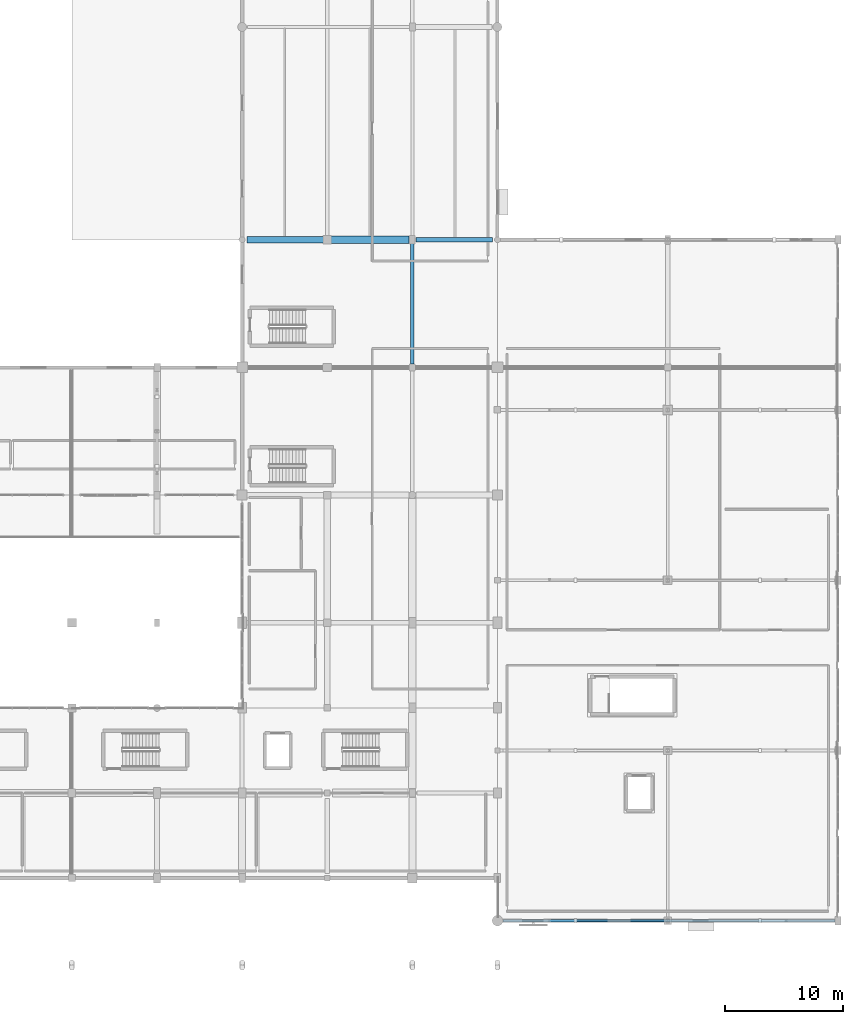
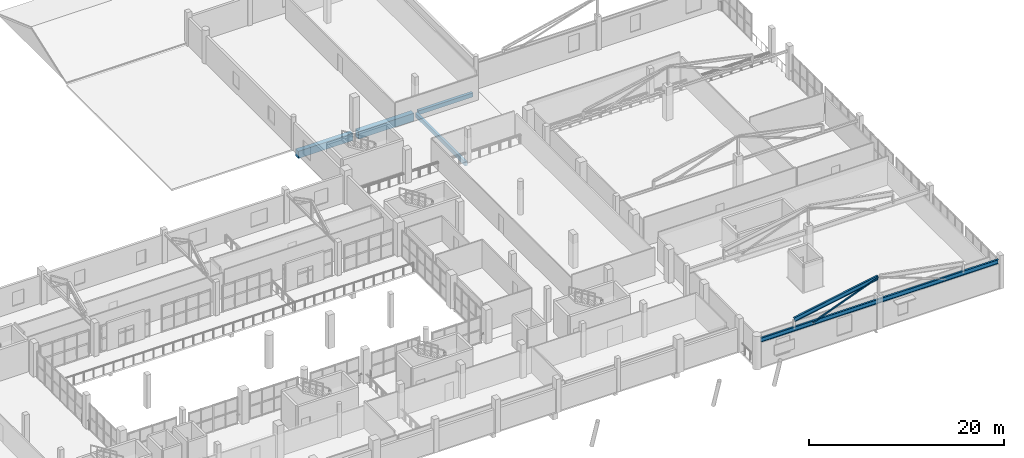
# One storey, part 32 of 92: 6 beams, 1 member.
"""IFC4 building model written with IfcOpenShell, lengths in metres."""

from ifc_helpers import new_model, si_unit, direction, frame, origin, origin_2d, place, context, subcontext, project, spatial, rectangle, hollow_rectangle, i_section, extrude, material, material_profile, profile_set, type_object, element, save


model = new_model("IFC4")

# Units and contexts
model_context = context("Model", 3, precision=1e-05, world=origin(), true_north=direction((0.0, 1.0)))
body_context = subcontext(model_context, "Body", "Model", "MODEL_VIEW")
ifc_project = project(units=[si_unit("LENGTHUNIT", "METRE"), si_unit("AREAUNIT", "SQUARE_METRE"), si_unit("VOLUMEUNIT", "CUBIC_METRE"), si_unit("PLANEANGLEUNIT", "RADIAN"), si_unit("MASSUNIT", "GRAM", prefix="KILO")], contexts=[model_context])

# Site, building, storey
site_placement = place(None, origin())
site = spatial("IfcSite", under=ifc_project, at=site_placement, CompositionType="ELEMENT")
building_placement = place(site_placement, origin())
building = spatial("IfcBuilding", under=site, at=building_placement, Name="Solanera Park Tramway Depot", CompositionType="ELEMENT")
storey_placement = place(building_placement, frame((0.0, 0.0, 4.800048828125)))
storey = spatial("IfcBuildingStorey", under=building, at=storey_placement, Name="L01", CompositionType="ELEMENT", Elevation=4.800048828125)

# Beams
ifc_material_1 = material(Name="Concrete N40 (C40/50)", Category="concrete")
ifc_material_profile_1 = material_profile(ifc_material_1, rectangle(XDim=0.300048828125, YDim=0.5, at=origin_2d()), Name="RCB 300x500")
ifc_profile_set_1 = profile_set([ifc_material_profile_1], Name="Concrete N40 (C40/50)")
beam_type_1 = type_object("IfcBeamType", Name="RC Floor Beam RCB 300x500", PredefinedType="BEAM", material=ifc_profile_set_1)
beam_1_placement = place(storey_placement, frame((180.0, 54.300048828125, -0.529052734375), z_axis=(0.0, 1.0, 0.0), x_axis=(-1.0, 0.0, 0.0)))
element("IfcBeam", 1, at=beam_1_placement, inside=storey, type_object=beam_type_1, Name="L01 Primary Y-Girder RCB 300x500 #0077", PredefinedType="BEAM", context=body_context, shape_type="SweptSolid", body=[
    extrude(rectangle(XDim=0.300048828125, YDim=0.5, at=origin_2d()), origin(), (0.0, 0.0, 1.0), 10.199951171875),
])
ifc_material_2 = material(Name="Concrete N40 (C40/50)", Category="concrete")
ifc_material_profile_2 = material_profile(ifc_material_2, rectangle(XDim=0.35009765625, YDim=0.5, at=origin_2d()), Name="RCB 350x500")
ifc_profile_set_2 = profile_set([ifc_material_profile_2], Name="Concrete N40 (C40/50)")
beam_type_2 = type_object("IfcBeamType", Name="RC Floor Beam RCB 350x500", PredefinedType="BEAM", material=ifc_profile_set_2)
beam_2_placement = place(storey_placement, frame((180.300048828125, 64.800048828125, -0.529052734375), z_axis=(1.0, 0.0, 0.0), x_axis=(0.0, 1.0, 0.0)))
element("IfcBeam", 2, at=beam_2_placement, inside=storey, type_object=beam_type_2, Name="L01 Primary X-Girder RCB 350x500 #0036", PredefinedType="BEAM", context=body_context, shape_type="SweptSolid", body=[
    extrude(rectangle(XDim=0.35009765625, YDim=0.5, at=origin_2d()), origin(), (0.0, 0.0, 1.0), 6.474853515625),
])
ifc_material_3 = material(Name="Concrete N40 (C40/50)", Category="concrete")
ifc_material_profile_3 = material_profile(ifc_material_3, rectangle(XDim=0.550048828125, YDim=0.89990234375, at=origin_2d()), Name="RCB 550x900")
ifc_profile_set_3 = profile_set([ifc_material_profile_3], Name="Concrete N40 (C40/50)")
beam_type_3 = type_object("IfcBeamType", Name="RC Floor Beam RCB 550x900", PredefinedType="BEAM", material=ifc_profile_set_3)
beam_3_placement = place(storey_placement, frame((166.02490234375, 64.800048828125, -0.72900390625), z_axis=(1.0, 0.0, 0.0), x_axis=(0.0, 1.0, 0.0)))
element("IfcBeam", 3, at=beam_3_placement, inside=storey, type_object=beam_type_3, Name="L01 Primary X-Girder RCB 550x900 #0034", PredefinedType="BEAM", context=body_context, shape_type="SweptSolid", body=[
    extrude(rectangle(XDim=0.550048828125, YDim=0.89990234375, at=origin_2d()), origin(), (0.0, 0.0, 1.0), 6.4501953125),
])
ifc_material_4 = material(Name="Concrete N40 (C40/50)", Category="concrete")
ifc_material_profile_4 = material_profile(ifc_material_4, rectangle(XDim=0.60009765625, YDim=0.949951171875, at=origin_2d()), Name="RCB 600x950")
ifc_profile_set_4 = profile_set([ifc_material_profile_4], Name="Concrete N40 (C40/50)")
beam_type_4 = type_object("IfcBeamType", Name="RC Floor Beam RCB 600x950", PredefinedType="BEAM", material=ifc_profile_set_4)
beam_4_placement = place(storey_placement, frame((173.125, 64.800048828125, -0.754150390625), z_axis=(1.0, 0.0, 0.0), x_axis=(0.0, 1.0, 0.0)))
element("IfcBeam", 4, at=beam_4_placement, inside=storey, type_object=beam_type_4, Name="L01 Primary X-Girder RCB 600x950 #0035", PredefinedType="BEAM", context=body_context, shape_type="SweptSolid", body=[
    extrude(rectangle(XDim=0.60009765625, YDim=0.949951171875, at=origin_2d()), origin(), (0.0, 0.0, 1.0), 6.574951171875),
])
ifc_material_5 = material(Name="Steel AS/NZS 3679.1 Grade 350", Category="steel")
ifc_material_profile_5 = material_profile(ifc_material_5, i_section(OverallWidth=0.209228515625, OverallDepth=0.532958984375, WebThickness=0.01025390625, FlangeThickness=0.015625, at=origin_2d()), Name="530UB92.4")
ifc_profile_set_5 = profile_set([ifc_material_profile_5], Name="Steel AS/NZS 3679.1 Grade 350")
beam_type_5 = type_object("IfcBeamType", Name="Steel Beam 530UB92.4", PredefinedType="BEAM", material=ifc_profile_set_5)
beam_5_placement = place(storey_placement, frame((187.64990234375, 7.199951171875, 3.33837890625), z_axis=(1.0, 0.0, 0.0), x_axis=(0.0, 1.0, 0.0)))
element("IfcBeam", 5, at=beam_5_placement, inside=storey, type_object=beam_type_5, Name="L01 Hip ROOF TRUSS Tie 530UB92.4 #1122", PredefinedType="BEAM", context=body_context, shape_type="SweptSolid", body=[
    extrude(i_section(OverallWidth=0.209228515625, OverallDepth=0.532958984375, WebThickness=0.01025390625, FlangeThickness=0.015625, at=origin_2d()), origin(), (0.0, 0.0, 1.0), 28.10009765625),
])
beam_6_placement = place(storey_placement, frame((191.60009765625, 7.199951171875, 4.486572265625), z_axis=(0.983396971243, 0.0, 0.181467344033), x_axis=(0.0, 1.0, 0.0)))
element("IfcBeam", 6, at=beam_6_placement, inside=storey, type_object=beam_type_5, Name="L01 Hip ROOF TRUSS Rafter 530UB92.4 #1123", PredefinedType="BEAM", context=body_context, shape_type="SweptSolid", body=[
    extrude(i_section(OverallWidth=0.209228515625, OverallDepth=0.532958984375, WebThickness=0.01025390625, FlangeThickness=0.015625, at=origin_2d()), origin(), (0.0, 0.0, 1.0), 10.107666015625),
])

# Member
ifc_material_6 = material(Name="Steel AS/NZS 1163 Grade C350L0", Category="steel")
ifc_material_profile_6 = material_profile(ifc_material_6, hollow_rectangle(XDim=0.14990234375, YDim=0.14990234375, WallThickness=0.006103515625, at=origin_2d()), Name="150x150x6.0 SHS")
ifc_profile_set_6 = profile_set([ifc_material_profile_6], Name="Steel AS/NZS 1163 Grade C350L0")
member_type = type_object("IfcMemberType", Name="Truss and Frame Brace 150x150x6.0 SHS", PredefinedType="BRACE", material=ifc_profile_set_6)
member_placement = place(storey_placement, frame((193.800048828125, 7.199951171875, 3.33837890625), z_axis=(0.934049826954, 0.0, 0.357142717646), x_axis=(0.0, 1.0, 0.0)))
element("IfcMember", 7, at=member_placement, inside=storey, type_object=member_type, Name="Hip ROOF TRUSS Web #0489", PredefinedType="BRACE", context=body_context, shape_type="SweptSolid", body=[
    extrude(hollow_rectangle(XDim=0.14990234375, YDim=0.14990234375, WallThickness=0.006103515625, at=origin_2d()), origin(), (0.0, 0.0, 1.0), 8.350830078125),
])

save(model, "model.ifc")
